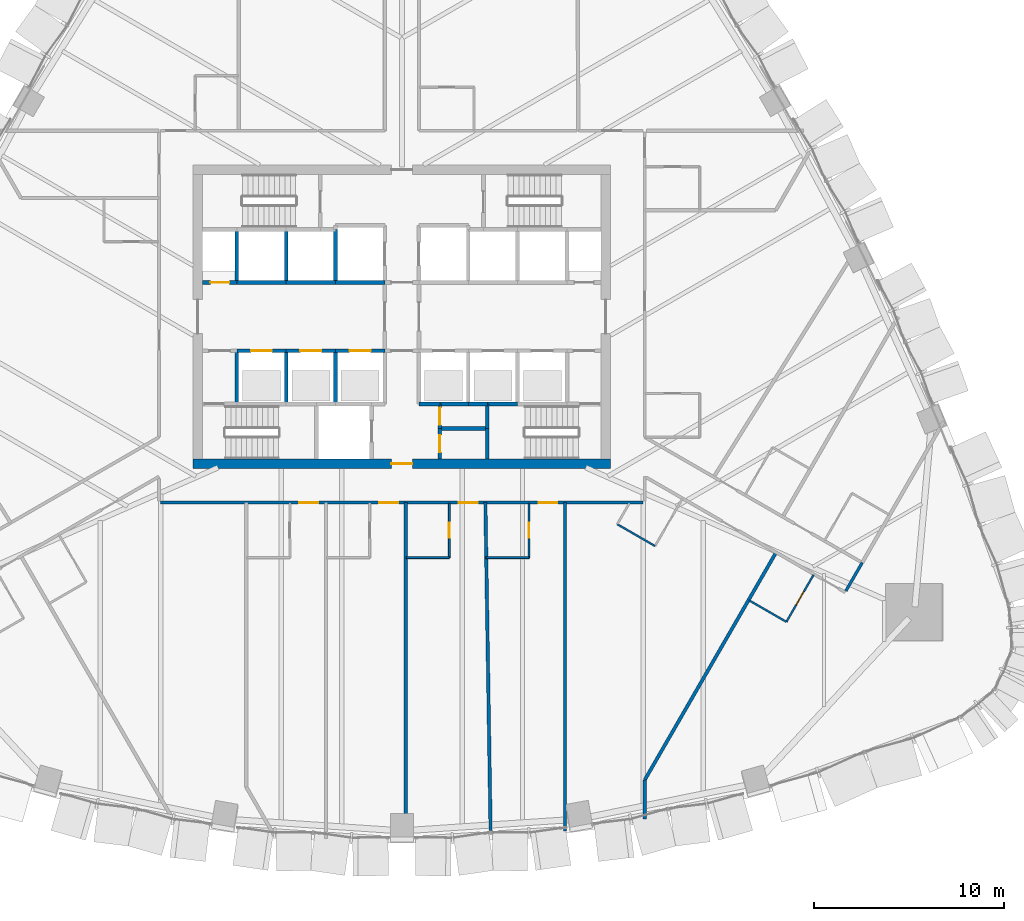
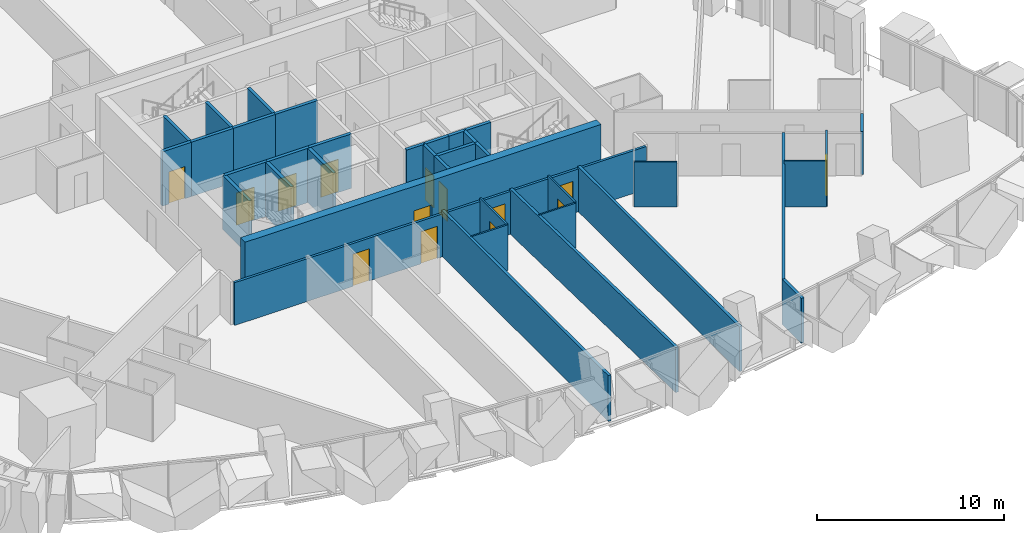
# One storey, part 16 of 24: 37 walls, 14 doors, 14 openings.
"""IFC4 building model written with IfcOpenShell, lengths in metres."""

import ifcopenshell
import ifcopenshell.guid

model = None  # the IFC model being written
_history = None  # IfcOwnerHistory: only IFC2X3 demands one
_inside = {}  # id of a spatial element -> (the spatial element, [elements in it])
_under = {}  # id of a project, library or spatial element -> (it, [spatial elements below it])
_declared = {}  # id of a project -> (the project, [libraries it declares])
_typed = {}  # id of a type object -> (the type object, [elements of that type])
_made_of = {}  # id of a material, layer set ... -> (it, [elements and type objects made of it])


def new_model(schema):
    """Start an empty IFC model of exactly this schema.

    Asked for "IFC4X3", IfcOpenShell would pick the latest addendum, in which some entities
    have other attributes; the version numbers below select the first issue.
    IFC2X3 requires an IfcOwnerHistory on every rooted entity: one is made here for all.
    """
    global model, _history
    if schema == "IFC4X3":
        model = ifcopenshell.file(schema_version=(4, 3, 0, 0))
    else:
        model = ifcopenshell.file(schema=schema)
    _inside.clear()
    _under.clear()
    _declared.clear()
    _typed.clear()
    _made_of.clear()
    _history = None
    if model.schema == "IFC2X3":
        org = make("IfcOrganization", Name="unknown")
        user = make(
            "IfcPersonAndOrganization",
            ThePerson=make("IfcPerson", FamilyName="unknown"),
            TheOrganization=org,
        )
        app = make(
            "IfcApplication",
            ApplicationDeveloper=org,
            Version="unknown",
            ApplicationFullName="unknown",
            ApplicationIdentifier="unknown",
        )
        _history = make(
            "IfcOwnerHistory",
            OwningUser=user,
            OwningApplication=app,
            ChangeAction="ADDED",
            CreationDate=0,
        )
    return model


def make(cls, **values):
    """One entity of the class cls with the attributes given. An attribute that is None is left unset."""
    return model.create_entity(
        cls, **{name: value for name, value in values.items() if value is not None}
    )


def rooted(cls, **values):
    """An entity with a GlobalId (a new one), such as an element, a storey or a relation."""
    return make(cls, GlobalId=ifcopenshell.guid.new(), OwnerHistory=_history, **values)


def si_unit(unit_type, name, prefix=None):
    """IfcSIUnit, for example si_unit("LENGTHUNIT", "METRE", prefix="MILLI")."""
    return make("IfcSIUnit", UnitType=unit_type, Prefix=prefix, Name=name)


def assignment(units):
    """IfcUnitAssignment: the units of a project."""
    return None if units is None else make("IfcUnitAssignment", Units=units)


def point(xyz):
    """IfcCartesianPoint."""
    return None if xyz is None else make("IfcCartesianPoint", Coordinates=xyz)


def direction(xyz):
    """IfcDirection."""
    return None if xyz is None else make("IfcDirection", DirectionRatios=xyz)


def frame(location, z_axis=None, x_axis=None):
    """IfcAxis2Placement3D, a coordinate frame: its origin and axes. An axis left out is left unset."""
    return make(
        "IfcAxis2Placement3D",
        Location=point(location),
        Axis=direction(z_axis),
        RefDirection=direction(x_axis),
    )


def frame_2d(location, x_axis=None):
    """IfcAxis2Placement2D, a coordinate frame in the plane: its origin and x axis."""
    return make(
        "IfcAxis2Placement2D", Location=point(location), RefDirection=direction(x_axis)
    )


def origin():
    """The frame at (0, 0, 0) with its axes left unset."""
    return frame((0.0, 0.0, 0.0))


def place(relative_to, where):
    """IfcLocalPlacement: puts the frame where relative to a parent placement (None: the world)."""
    return make(
        "IfcLocalPlacement", PlacementRelTo=relative_to, RelativePlacement=where
    )


def context(
    kind, dimensions, precision=None, world=None, true_north=None, identifier=None
):
    """IfcGeometricRepresentationContext, for example the 3D "Model" context."""
    return make(
        "IfcGeometricRepresentationContext",
        ContextIdentifier=identifier,
        ContextType=kind,
        CoordinateSpaceDimension=dimensions,
        Precision=precision,
        WorldCoordinateSystem=world,
        TrueNorth=true_north,
    )


def subcontext(parent, identifier, kind, view, scale=None):
    """IfcGeometricRepresentationSubContext, for example "Body" below "Model"."""
    return make(
        "IfcGeometricRepresentationSubContext",
        ContextIdentifier=identifier,
        ContextType=kind,
        ParentContext=parent,
        TargetScale=scale,
        TargetView=view,
    )


def project(units=None, contexts=None):
    """IfcProject with its units and contexts."""
    return rooted(
        "IfcProject",
        Name="project",
        RepresentationContexts=contexts,
        UnitsInContext=assignment(units),
    )


def spatial(cls, under=None, at=None, **own):
    """A site, building, storey or space (cls), placed at a placement, below another one or the project."""
    s = rooted(cls, ObjectPlacement=at, **own)
    if under is not None:
        _under.setdefault(under.id(), (under, []))[1].append(s)
    return s


def profile(cls, at=None, kind="AREA", **sizes):
    """A parametric profile (cls). Its sizes go by their IFC names, for example OverallWidth=200.0."""
    return make(cls, ProfileType=kind, Position=at, **sizes)


def rectangle(**sizes):
    """IfcRectangleProfileDef."""
    return profile("IfcRectangleProfileDef", **sizes)


def extrude(swept, where, along, depth):
    """IfcExtrudedAreaSolid: the profile swept, set in the frame where, extruded along a direction by depth."""
    return make(
        "IfcExtrudedAreaSolid",
        SweptArea=swept,
        Position=where,
        ExtrudedDirection=direction(along),
        Depth=depth,
    )


def shape(context_of_items, identifier, shape_type, items):
    """IfcShapeRepresentation: the items that make up one representation, for example the "Body"."""
    return make(
        "IfcShapeRepresentation",
        ContextOfItems=context_of_items,
        RepresentationIdentifier=identifier,
        RepresentationType=shape_type,
        Items=items,
    )


def material(Name=None, Category=None):
    """IfcMaterial."""
    return make("IfcMaterial", Name=Name, Category=Category)


def layer(
    of_material, thickness, ventilated=None, Name=None, Category=None, Priority=None
):
    """IfcMaterialLayer: one layer of a wall or slab, of a material (None: an air gap)."""
    return make(
        "IfcMaterialLayer",
        Material=of_material,
        LayerThickness=thickness,
        IsVentilated=ventilated,
        Name=Name,
        Category=Category,
        Priority=Priority,
    )


def layer_set(layers, Name=None):
    """IfcMaterialLayerSet."""
    return make("IfcMaterialLayerSet", MaterialLayers=layers, LayerSetName=Name)


def made_of(thing, what):
    """Note that an element or type object is made of a material, layer set ...; save() writes the relation."""
    if what is not None:
        _made_of.setdefault(what.id(), (what, []))[1].append(thing)
    return thing


def type_object(cls, material=None, **own):
    """A type object (cls), such as IfcWallType, which elements share."""
    return made_of(rooted(cls, **own), material)


def element(
    cls,
    number,
    at=None,
    inside=None,
    cuts=None,
    type_object=None,
    material=None,
    context=None,
    identifier="Body",
    shape_type=None,
    held_by="IfcProductDefinitionShape",
    body=None,
    shapes=None,
    **own,
):
    """One element of the class cls, such as IfcWall. Its Tag is "e" and its number.

    at: its placement. inside: the storey or other place that contains it. cuts: it is an
    opening in that element (IfcRelVoidsElement). A single representation is given by context,
    identifier, shape_type and body (its items); several are given by shapes. held_by: the class
    of the entity that holds the representations. save() writes the other relations.
    """
    e = rooted(cls, Tag="e%d" % number, ObjectPlacement=at, **own)
    if body is not None:
        shapes = [shape(context, identifier, shape_type, body)]
    if shapes is not None:
        e.Representation = make(held_by, Representations=shapes)
    if inside is not None:
        _inside.setdefault(inside.id(), (inside, []))[1].append(e)
    if cuts is not None:
        rooted(
            "IfcRelVoidsElement", RelatingBuildingElement=cuts, RelatedOpeningElement=e
        )
    if type_object is not None:
        _typed.setdefault(type_object.id(), (type_object, []))[1].append(e)
    return made_of(e, material)


def fill(opening, filler):
    """IfcRelFillsElement: the door or window that sits in an opening."""
    return rooted(
        "IfcRelFillsElement",
        RelatingOpeningElement=opening,
        RelatedBuildingElement=filler,
    )


def aggregate(whole, parts):
    """IfcRelAggregates: a whole, such as a stair, and the parts it consists of."""
    return rooted("IfcRelAggregates", RelatingObject=whole, RelatedObjects=parts)


def save(model, path):
    """Write the relations noted so far, then the file.

    IfcRelAggregates (storeys below a building ...), IfcRelContainedInSpatialStructure (elements
    in a storey), IfcRelDefinesByType, IfcRelAssociatesMaterial and IfcRelDeclares: one each for
    every whole, place, type object, material and project.
    """
    for whole, parts in _under.values():
        aggregate(whole, parts)
    for where, things in _inside.values():
        rooted(
            "IfcRelContainedInSpatialStructure",
            RelatedElements=things,
            RelatingStructure=where,
        )
    for kind, things in _typed.values():
        rooted("IfcRelDefinesByType", RelatedObjects=things, RelatingType=kind)
    for what, things in _made_of.values():
        rooted("IfcRelAssociatesMaterial", RelatedObjects=things, RelatingMaterial=what)
    for by, libraries in _declared.values():
        rooted("IfcRelDeclares", RelatingContext=by, RelatedDefinitions=libraries)
    model.write(path)


model = new_model("IFC4")

# Units and contexts
model_context = context("Model", 3, precision=1e-05, world=origin(), true_north=direction((0.0, 1.0)))
body_context = subcontext(model_context, "Body", "Model", "MODEL_VIEW")
ifc_project = project(units=[si_unit("LENGTHUNIT", "METRE"), si_unit("AREAUNIT", "SQUARE_METRE"), si_unit("VOLUMEUNIT", "CUBIC_METRE"), si_unit("PLANEANGLEUNIT", "RADIAN"), si_unit("MASSUNIT", "GRAM", prefix="KILO")], contexts=[model_context])

# Site, building, storey
site_placement = place(None, origin())
site = spatial("IfcSite", under=ifc_project, at=site_placement, CompositionType="ELEMENT")
building_placement = place(site_placement, origin())
building = spatial("IfcBuilding", under=site, at=building_placement, Name="Sierra Prisma Convention Tower", CompositionType="ELEMENT")
storey_placement = place(building_placement, frame((0.0, 0.0, 55.39990234375)))
storey = spatial("IfcBuildingStorey", under=building, at=storey_placement, Name="L09", CompositionType="ELEMENT", Elevation=55.39990234375)

# Wall, opening, door
ifc_material_1 = material(Name="Gypsum board partition", Category="gypsum")
ifc_layer_1 = layer(ifc_material_1, 0.10009765625)
ifc_layer_set_1 = layer_set([ifc_layer_1], Name="Bathroom partition 100")
wall_type_1 = type_object("IfcWallType", Name="Bathroom partition 100", PredefinedType="PARTITIONING", material=ifc_layer_set_1)
wall_1_placement = place(storey_placement, frame((2.5, -9.830078125, 0.0), z_axis=(0.0, 0.0, 1.0), x_axis=(0.0, -1.0, 0.0)))
wall_1 = element("IfcWall", 1, at=wall_1_placement, inside=storey, type_object=wall_type_1, Name="Partition L09 bath 19", PredefinedType="PARTITIONING", context=body_context, shape_type="SweptSolid", body=[
    extrude(rectangle(XDim=2.869873046875, YDim=0.10009765625, at=frame_2d((1.43505859375, 0.0))), origin(), (0.0, 0.0, 1.0), 3.0),
])
opening_1_placement = place(wall_1_placement, frame((1.034912109375, 0.0, 0.0)))
opening_1 = element("IfcOpeningElement", 2, at=opening_1_placement, cuts=wall_1, Name="Opening L09-D012", PredefinedType="OPENING", context=body_context, shape_type="SweptSolid", body=[
    extrude(rectangle(XDim=0.800048828125, YDim=2.10009765625, at=frame_2d((0.39990234375, 1.050048828125))), frame((0.0, 0.050048828125, 0.0), z_axis=(0.0, -1.0, 0.0), x_axis=(1.0, 0.0, 0.0)), (0.0, 0.0, 1.0), 0.10009765625),
])
ifc_material_2 = material(Name="Solid core timber door leaf", Category="wood")
door_type_1 = type_object("IfcDoorType", Name="Door 800x2100 plain", OperationType="SINGLE_SWING_LEFT", PredefinedType="DOOR", material=ifc_material_2)
door_1_placement = place(opening_1_placement, origin())
door_1 = element("IfcDoor", 3, at=door_1_placement, inside=storey, type_object=door_type_1, Name="Door L09 27", OperationType="SINGLE_SWING_LEFT", OverallHeight=2.10009765625, OverallWidth=0.800048828125, PredefinedType="DOOR", context=body_context, shape_type="SweptSolid", body=[
    extrude(rectangle(XDim=0.800048828125, YDim=2.10009765625, at=frame_2d((0.39990234375, 1.050048828125))), frame((0.0, 0.02490234375, 0.0), z_axis=(0.0, -1.0, 0.0), x_axis=(1.0, 0.0, 0.0)), (0.0, 0.0, 1.0), 0.050048828125),
])
fill(opening_1, door_1)

# Wall
wall_2_placement = place(storey_placement, frame((2.5, -12.699951171875, 0.0), z_axis=(0.0, 0.0, 1.0), x_axis=(-1.0, 0.0, 0.0)))
element("IfcWall", 4, at=wall_2_placement, inside=storey, type_object=wall_type_1, Name="Partition L09 bath 20", PredefinedType="PARTITIONING", context=body_context, shape_type="SweptSolid", body=[
    extrude(rectangle(XDim=2.27001953125, YDim=0.10009765625, at=frame_2d((1.135009765625, 0.0))), origin(), (0.0, 0.0, 1.0), 3.0),
])

# Wall, opening, door
wall_3_placement = place(storey_placement, frame((6.699951171875, -9.830078125, 0.0), z_axis=(0.0, 0.0, 1.0), x_axis=(0.0, -1.0, 0.0)))
wall_3 = element("IfcWall", 5, at=wall_3_placement, inside=storey, type_object=wall_type_1, Name="Partition L09 bath 23", PredefinedType="PARTITIONING", context=body_context, shape_type="SweptSolid", body=[
    extrude(rectangle(XDim=2.869873046875, YDim=0.10009765625, at=frame_2d((1.43505859375, 0.0))), origin(), (0.0, 0.0, 1.0), 3.0),
])
opening_2_placement = place(wall_3_placement, frame((1.034912109375, 0.0, 0.0)))
opening_2 = element("IfcOpeningElement", 6, at=opening_2_placement, cuts=wall_3, Name="Opening L09-D013", PredefinedType="OPENING", context=body_context, shape_type="SweptSolid", body=[
    extrude(rectangle(XDim=0.800048828125, YDim=2.10009765625, at=frame_2d((0.39990234375, 1.050048828125))), frame((0.0, 0.050048828125, 0.0), z_axis=(0.0, -1.0, 0.0), x_axis=(1.0, 0.0, 0.0)), (0.0, 0.0, 1.0), 0.10009765625),
])
door_2_placement = place(opening_2_placement, origin())
door_2 = element("IfcDoor", 7, at=door_2_placement, inside=storey, type_object=door_type_1, Name="Door L09 29", OperationType="SINGLE_SWING_RIGHT", OverallHeight=2.10009765625, OverallWidth=0.800048828125, PredefinedType="DOOR", context=body_context, shape_type="SweptSolid", body=[
    extrude(rectangle(XDim=0.800048828125, YDim=2.10009765625, at=frame_2d((0.39990234375, 1.050048828125))), frame((0.0, 0.02490234375, 0.0), z_axis=(0.0, -1.0, 0.0), x_axis=(1.0, 0.0, 0.0)), (0.0, 0.0, 1.0), 0.050048828125),
])
fill(opening_2, door_2)

# Walls
wall_4_placement = place(storey_placement, frame((6.699951171875, -12.699951171875, 0.0), z_axis=(0.0, 0.0, 1.0), x_axis=(-1.0, 0.0, 0.0)))
element("IfcWall", 8, at=wall_4_placement, inside=storey, type_object=wall_type_1, Name="Partition L09 bath 24", PredefinedType="PARTITIONING", context=body_context, shape_type="SweptSolid", body=[
    extrude(rectangle(XDim=2.27001953125, YDim=0.10009765625, at=frame_2d((1.135009765625, 0.0))), origin(), (0.0, 0.0, 1.0), 2.947021484375),
])
wall_5_placement = place(storey_placement, frame((13.341796875, -12.0908203125, 0.0), z_axis=(0.0, 0.0, 1.0), x_axis=(-0.86602648383, 0.499998129301, 0.0)))
element("IfcWall", 9, at=wall_5_placement, inside=storey, type_object=wall_type_1, Name="Partition L09 bath 26", PredefinedType="PARTITIONING", context=body_context, shape_type="SweptSolid", body=[
    extrude(rectangle(XDim=2.2998046875, YDim=0.10009765625, at=frame_2d((1.14990234375, 0.0))), origin(), (0.0, 0.0, 1.0), 2.947021484375),
])

# Wall, opening, door
wall_6_placement = place(storey_placement, frame((21.70068359375, -13.602783203125, 0.0), z_axis=(0.0, 0.0, 1.0), x_axis=(-0.500036638401, -0.866004249561, 0.0)))
wall_6 = element("IfcWall", 10, at=wall_6_placement, inside=storey, type_object=wall_type_1, Name="Partition L09 bath 35", PredefinedType="PARTITIONING", context=body_context, shape_type="SweptSolid", body=[
    extrude(rectangle(XDim=2.869873046875, YDim=0.10009765625, at=frame_2d((1.43505859375, 0.0))), origin(), (0.0, 0.0, 1.0), 3.0),
])
opening_3_placement = place(wall_6_placement, frame((1.034912109375, 0.0, 0.0)))
opening_3 = element("IfcOpeningElement", 11, at=opening_3_placement, cuts=wall_6, Name="Opening L09-D015", PredefinedType="OPENING", context=body_context, shape_type="SweptSolid", body=[
    extrude(rectangle(XDim=0.800048828125, YDim=2.10009765625, at=frame_2d((0.39990234375, 1.050048828125))), frame((0.0, 0.050048828125, 0.0), z_axis=(0.0, -1.0, 0.0), x_axis=(1.0, 0.0, 0.0)), (0.0, 0.0, 1.0), 0.10009765625),
])
door_3_placement = place(opening_3_placement, origin())
door_3 = element("IfcDoor", 12, at=door_3_placement, inside=storey, type_object=door_type_1, Name="Door L09 33", OperationType="SINGLE_SWING_LEFT", OverallHeight=2.10009765625, OverallWidth=0.800048828125, PredefinedType="DOOR", context=body_context, shape_type="SweptSolid", body=[
    extrude(rectangle(XDim=0.800048828125, YDim=2.10009765625, at=frame_2d((0.39990234375, 1.050048828125))), frame((0.0, 0.02490234375, 0.0), z_axis=(0.0, -1.0, 0.0), x_axis=(1.0, 0.0, 0.0)), (0.0, 0.0, 1.0), 0.050048828125),
])
fill(opening_3, door_3)

# Wall
wall_7_placement = place(storey_placement, frame((20.265625, -16.088134765625, 0.0), z_axis=(0.0, 0.0, 1.0), x_axis=(-0.866017224141, 0.500014167291, 0.0)))
element("IfcWall", 13, at=wall_7_placement, inside=storey, type_object=wall_type_1, Name="Partition L09 bath 36", PredefinedType="PARTITIONING", context=body_context, shape_type="SweptSolid", body=[
    extrude(rectangle(XDim=2.27001953125, YDim=0.10009765625, at=frame_2d((1.135009765625, 0.0))), origin(), (0.0, 0.0, 1.0), 3.0),
])

# Wall, opening, door
ifc_material_3 = material(Name="Concrete C30/37", Category="concrete")
ifc_layer_2 = layer(ifc_material_3, 0.199951171875)
ifc_layer_set_2 = layer_set([ifc_layer_2], Name="Core wall RC 200 C30/37")
wall_type_2 = type_object("IfcWallType", Name="Core wall RC 200 C30/37", PredefinedType="SOLIDWALL", material=ifc_layer_set_2)
wall_8_placement = place(storey_placement, frame((-8.699951171875, 1.800048828125, 0.0), z_axis=(0.0, 0.0, 1.0), x_axis=(-1.0, 0.0, 0.0)))
wall_8 = element("IfcWall", 14, at=wall_8_placement, inside=storey, type_object=wall_type_2, Name="Core wall L09 3", PredefinedType="SOLIDWALL", context=body_context, shape_type="SweptSolid", body=[
    extrude(rectangle(XDim=1.800048828125, YDim=0.199951171875, at=frame_2d((0.89990234375, 0.0))), origin(), (0.0, 0.0, 1.0), 3.550048828125),
])
opening_4_placement = place(wall_8_placement, frame((0.39990234375, 0.0, 0.0)))
opening_4 = element("IfcOpeningElement", 15, at=opening_4_placement, cuts=wall_8, Name="Opening L09-D033", PredefinedType="OPENING", context=body_context, shape_type="SweptSolid", body=[
    extrude(rectangle(XDim=1.0, YDim=2.10009765625, at=frame_2d((0.5, 1.050048828125))), frame((0.0, 0.10009765625, 0.0), z_axis=(0.0, -1.0, 0.0), x_axis=(1.0, 0.0, 0.0)), (0.0, 0.0, 1.0), 0.199951171875),
])
ifc_material_4 = material(Name="Steel fire door leaf", Category="steel")
door_type_2 = type_object("IfcDoorType", Name="Door 1000x2100 FD60S", OperationType="SINGLE_SWING_LEFT", PredefinedType="DOOR", material=ifc_material_4)
door_4_placement = place(opening_4_placement, origin())
door_4 = element("IfcDoor", 16, at=door_4_placement, inside=storey, type_object=door_type_2, Name="Door L09 53", OperationType="SINGLE_SWING_LEFT", OverallHeight=2.10009765625, OverallWidth=1.0, PredefinedType="DOOR", context=body_context, shape_type="SweptSolid", body=[
    extrude(rectangle(XDim=1.0, YDim=2.10009765625, at=frame_2d((0.5, 1.050048828125))), frame((0.0, 0.02490234375, 0.0), z_axis=(0.0, -1.0, 0.0), x_axis=(1.0, 0.0, 0.0)), (0.0, 0.0, 1.0), 0.050048828125),
])
fill(opening_4, door_4)

# Wall
wall_9_placement = place(storey_placement, frame((-8.699951171875, -4.60009765625, 0.0), z_axis=(0.0, 0.0, 1.0), x_axis=(0.0, 1.0, 0.0)))
element("IfcWall", 17, at=wall_9_placement, inside=storey, type_object=wall_type_2, Name="Core wall L09 6", PredefinedType="SOLIDWALL", context=body_context, shape_type="SweptSolid", body=[
    extrude(rectangle(XDim=2.800048828125, YDim=0.199951171875, at=frame_2d((1.39990234375, 0.0))), origin(), (0.0, 0.0, 1.0), 3.550048828125),
])

# Wall, opening, door
wall_10_placement = place(storey_placement, frame((-8.699951171875, -1.800048828125, 0.0), z_axis=(0.0, 0.0, 1.0), x_axis=(1.0, 0.0, 0.0)))
wall_10 = element("IfcWall", 18, at=wall_10_placement, inside=storey, type_object=wall_type_2, Name="Core wall L09 7", PredefinedType="SOLIDWALL", context=body_context, shape_type="SweptSolid", body=[
    extrude(rectangle(XDim=2.599853515625, YDim=0.199951171875, at=frame_2d((1.2998046875, 0.0))), origin(), (0.0, 0.0, 1.0), 3.550048828125),
])
opening_5_placement = place(wall_10_placement, frame((0.75, 0.0, 0.0)))
opening_5 = element("IfcOpeningElement", 19, at=opening_5_placement, cuts=wall_10, Name="Opening L09-D018", PredefinedType="OPENING", context=body_context, shape_type="SweptSolid", body=[
    extrude(rectangle(XDim=1.10009765625, YDim=2.10009765625, at=frame_2d((0.550048828125, 1.050048828125))), frame((0.0, 0.10009765625, 0.0), z_axis=(0.0, -1.0, 0.0), x_axis=(1.0, 0.0, 0.0)), (0.0, 0.0, 1.0), 0.199951171875),
])
ifc_material_5 = material(Name="Steel fire door leaf", Category="steel")
door_type_3 = type_object("IfcDoorType", Name="Door 1100x2100 EI 90 sliding lift landing", OperationType="SLIDING_TO_LEFT", PredefinedType="DOOR", material=ifc_material_5)
door_5_placement = place(opening_5_placement, origin())
door_5 = element("IfcDoor", 20, at=door_5_placement, inside=storey, type_object=door_type_3, Name="Door L09 38", OperationType="SLIDING_TO_LEFT", OverallHeight=2.10009765625, OverallWidth=1.10009765625, PredefinedType="DOOR", context=body_context, shape_type="SweptSolid", body=[
    extrude(rectangle(XDim=1.10009765625, YDim=2.10009765625, at=frame_2d((0.550048828125, 1.050048828125))), frame((0.0, 0.02490234375, 0.0), z_axis=(0.0, -1.0, 0.0), x_axis=(1.0, 0.0, 0.0)), (0.0, 0.0, 1.0), 0.050048828125),
])
fill(opening_5, door_5)

# Walls
wall_11_placement = place(storey_placement, frame((-6.10009765625, 1.800048828125, 0.0), z_axis=(0.0, 0.0, 1.0), x_axis=(-1.0, 0.0, 0.0)))
element("IfcWall", 21, at=wall_11_placement, inside=storey, type_object=wall_type_2, Name="Core wall L09 8", PredefinedType="SOLIDWALL", context=body_context, shape_type="SweptSolid", body=[
    extrude(rectangle(XDim=2.599853515625, YDim=0.199951171875, at=frame_2d((1.2998046875, 0.0))), origin(), (0.0, 0.0, 1.0), 3.550048828125),
])
for number, where, z_axis, x_axis, name in (
    (22, (-8.699951171875, 1.800048828125, 0.0), (0.0, 0.0, 1.0), (0.0, 1.0, 0.0), "Core wall L09 9"),
    (23, (-6.10009765625, -4.60009765625, 0.0), (0.0, 0.0, 1.0), (0.0, 1.0, 0.0), "Core wall L09 12"),
):
    element("IfcWall", number, at=place(storey_placement, frame(where, z_axis=z_axis, x_axis=x_axis)), inside=storey, type_object=wall_type_2, Name=name, PredefinedType="SOLIDWALL", context=body_context, shape_type="SweptSolid", body=[
        extrude(rectangle(XDim=2.800048828125, YDim=0.199951171875, at=frame_2d((1.39990234375, 0.0))), origin(), (0.0, 0.0, 1.0), 3.550048828125),
    ])

# Wall, opening, door
wall_12_placement = place(storey_placement, frame((-6.10009765625, -1.800048828125, 0.0), z_axis=(0.0, 0.0, 1.0), x_axis=(1.0, 0.0, 0.0)))
wall_12 = element("IfcWall", 24, at=wall_12_placement, inside=storey, type_object=wall_type_2, Name="Core wall L09 13", PredefinedType="SOLIDWALL", context=body_context, shape_type="SweptSolid", body=[
    extrude(rectangle(XDim=2.60009765625, YDim=0.199951171875, at=frame_2d((1.300048828125, 0.0))), origin(), (0.0, 0.0, 1.0), 3.550048828125),
])
opening_6_placement = place(wall_12_placement, frame((0.75, 0.0, 0.0)))
opening_6 = element("IfcOpeningElement", 25, at=opening_6_placement, cuts=wall_12, Name="Opening L09-D019", PredefinedType="OPENING", context=body_context, shape_type="SweptSolid", body=[
    extrude(rectangle(XDim=1.10009765625, YDim=2.10009765625, at=frame_2d((0.550048828125, 1.050048828125))), frame((0.0, 0.10009765625, 0.0), z_axis=(0.0, -1.0, 0.0), x_axis=(1.0, 0.0, 0.0)), (0.0, 0.0, 1.0), 0.199951171875),
])
door_6_placement = place(opening_6_placement, origin())
door_6 = element("IfcDoor", 26, at=door_6_placement, inside=storey, type_object=door_type_3, Name="Door L09 39", OperationType="SLIDING_TO_RIGHT", OverallHeight=2.10009765625, OverallWidth=1.10009765625, PredefinedType="DOOR", context=body_context, shape_type="SweptSolid", body=[
    extrude(rectangle(XDim=1.10009765625, YDim=2.10009765625, at=frame_2d((0.550048828125, 1.050048828125))), frame((0.0, 0.02490234375, 0.0), z_axis=(0.0, -1.0, 0.0), x_axis=(1.0, 0.0, 0.0)), (0.0, 0.0, 1.0), 0.050048828125),
])
fill(opening_6, door_6)

# Walls
wall_13_placement = place(storey_placement, frame((-3.5, 1.800048828125, 0.0), z_axis=(0.0, 0.0, 1.0), x_axis=(-1.0, 0.0, 0.0)))
element("IfcWall", 27, at=wall_13_placement, inside=storey, type_object=wall_type_2, Name="Core wall L09 14", PredefinedType="SOLIDWALL", context=body_context, shape_type="SweptSolid", body=[
    extrude(rectangle(XDim=2.60009765625, YDim=0.199951171875, at=frame_2d((1.300048828125, 0.0))), origin(), (0.0, 0.0, 1.0), 3.550048828125),
])
for number, where, z_axis, x_axis, name in (
    (28, (-6.10009765625, 1.800048828125, 0.0), (0.0, 0.0, 1.0), (0.0, 1.0, 0.0), "Core wall L09 15"),
    (29, (-3.5, -4.60009765625, 0.0), (0.0, 0.0, 1.0), (0.0, 1.0, 0.0), "Core wall L09 22"),
):
    element("IfcWall", number, at=place(storey_placement, frame(where, z_axis=z_axis, x_axis=x_axis)), inside=storey, type_object=wall_type_2, Name=name, PredefinedType="SOLIDWALL", context=body_context, shape_type="SweptSolid", body=[
        extrude(rectangle(XDim=2.800048828125, YDim=0.199951171875, at=frame_2d((1.39990234375, 0.0))), origin(), (0.0, 0.0, 1.0), 3.550048828125),
    ])

# Wall, opening, door
wall_14_placement = place(storey_placement, frame((-3.5, -1.800048828125, 0.0), z_axis=(0.0, 0.0, 1.0), x_axis=(1.0, 0.0, 0.0)))
wall_14 = element("IfcWall", 30, at=wall_14_placement, inside=storey, type_object=wall_type_2, Name="Core wall L09 23", PredefinedType="SOLIDWALL", context=body_context, shape_type="SweptSolid", body=[
    extrude(rectangle(XDim=2.60009765625, YDim=0.199951171875, at=frame_2d((1.300048828125, 0.0))), origin(), (0.0, 0.0, 1.0), 3.550048828125),
])
opening_7_placement = place(wall_14_placement, frame((0.75, 0.0, 0.0)))
opening_7 = element("IfcOpeningElement", 31, at=opening_7_placement, cuts=wall_14, Name="Opening L09-D020", PredefinedType="OPENING", context=body_context, shape_type="SweptSolid", body=[
    extrude(rectangle(XDim=1.10009765625, YDim=2.10009765625, at=frame_2d((0.550048828125, 1.050048828125))), frame((0.0, 0.10009765625, 0.0), z_axis=(0.0, -1.0, 0.0), x_axis=(1.0, 0.0, 0.0)), (0.0, 0.0, 1.0), 0.199951171875),
])
door_7_placement = place(opening_7_placement, origin())
door_7 = element("IfcDoor", 32, at=door_7_placement, inside=storey, type_object=door_type_3, Name="Door L09 40", OperationType="SLIDING_TO_RIGHT", OverallHeight=2.10009765625, OverallWidth=1.10009765625, PredefinedType="DOOR", context=body_context, shape_type="SweptSolid", body=[
    extrude(rectangle(XDim=1.10009765625, YDim=2.10009765625, at=frame_2d((0.550048828125, 1.050048828125))), frame((0.0, 0.02490234375, 0.0), z_axis=(0.0, -1.0, 0.0), x_axis=(1.0, 0.0, 0.0)), (0.0, 0.0, 1.0), 0.050048828125),
])
fill(opening_7, door_7)

# Walls
wall_15_placement = place(storey_placement, frame((-0.89990234375, 1.800048828125, 0.0), z_axis=(0.0, 0.0, 1.0), x_axis=(-1.0, 0.0, 0.0)))
element("IfcWall", 33, at=wall_15_placement, inside=storey, type_object=wall_type_2, Name="Core wall L09 24", PredefinedType="SOLIDWALL", context=body_context, shape_type="SweptSolid", body=[
    extrude(rectangle(XDim=2.60009765625, YDim=0.199951171875, at=frame_2d((1.300048828125, 0.0))), origin(), (0.0, 0.0, 1.0), 3.550048828125),
])
wall_16_placement = place(storey_placement, frame((-3.5, 4.60009765625, 0.0), z_axis=(0.0, 0.0, 1.0), x_axis=(0.0, -1.0, 0.0)))
element("IfcWall", 34, at=wall_16_placement, inside=storey, type_object=wall_type_2, Name="Core wall L09 25", PredefinedType="SOLIDWALL", context=body_context, shape_type="SweptSolid", body=[
    extrude(rectangle(XDim=2.800048828125, YDim=0.199951171875, at=frame_2d((1.39990234375, 0.0))), origin(), (0.0, 0.0, 1.0), 3.550048828125),
])
wall_17_placement = place(storey_placement, frame((0.89990234375, -4.60009765625, 0.0), z_axis=(0.0, 0.0, 1.0), x_axis=(1.0, 0.0, 0.0)))
element("IfcWall", 35, at=wall_17_placement, inside=storey, type_object=wall_type_2, Name="Core wall L09 38", PredefinedType="SOLIDWALL", context=body_context, shape_type="SweptSolid", body=[
    extrude(rectangle(XDim=1.10009765625, YDim=0.199951171875, at=frame_2d((0.550048828125, 0.0))), origin(), (0.0, 0.0, 1.0), 3.550048828125),
])

# Wall, opening, door
wall_18_placement = place(storey_placement, frame((2.0, -5.89990234375, 0.0), z_axis=(0.0, 0.0, 1.0), x_axis=(0.0, -1.0, 0.0)))
wall_18 = element("IfcWall", 36, at=wall_18_placement, inside=storey, type_object=wall_type_2, Name="Core wall L09 43", PredefinedType="SOLIDWALL", context=body_context, shape_type="SweptSolid", body=[
    extrude(rectangle(XDim=1.60009765625, YDim=0.199951171875, at=frame_2d((0.800048828125, 0.0))), origin(), (0.0, 0.0, 1.0), 3.550048828125),
])
opening_8_placement = place(wall_18_placement, frame((0.35009765625, 0.0, 0.0)))
opening_8 = element("IfcOpeningElement", 37, at=opening_8_placement, cuts=wall_18, Name="Opening L09-D039", PredefinedType="OPENING", context=body_context, shape_type="SweptSolid", body=[
    extrude(rectangle(XDim=0.89990234375, YDim=2.10009765625, at=frame_2d((0.449951171875, 1.050048828125))), frame((0.0, 0.10009765625, 0.0), z_axis=(0.0, -1.0, 0.0), x_axis=(1.0, 0.0, 0.0)), (0.0, 0.0, 1.0), 0.199951171875),
])
ifc_material_6 = material(Name="Steel fire door leaf", Category="steel")
door_type_4 = type_object("IfcDoorType", Name="Door 900x2100 FD30S", OperationType="SINGLE_SWING_LEFT", PredefinedType="DOOR", material=ifc_material_6)
door_8_placement = place(opening_8_placement, origin())
door_8 = element("IfcDoor", 38, at=door_8_placement, inside=storey, type_object=door_type_4, Name="Door L09 59", OperationType="SINGLE_SWING_LEFT", OverallHeight=2.10009765625, OverallWidth=0.89990234375, PredefinedType="DOOR", context=body_context, shape_type="SweptSolid", body=[
    extrude(rectangle(XDim=0.89990234375, YDim=2.10009765625, at=frame_2d((0.449951171875, 1.050048828125))), frame((0.0, 0.02490234375, 0.0), z_axis=(0.0, -1.0, 0.0), x_axis=(1.0, 0.0, 0.0)), (0.0, 0.0, 1.0), 0.050048828125),
])
fill(opening_8, door_8)

# Wall
wall_19_placement = place(storey_placement, frame((4.5, -5.89990234375, 0.0), z_axis=(0.0, 0.0, 1.0), x_axis=(-1.0, 0.0, 0.0)))
element("IfcWall", 39, at=wall_19_placement, inside=storey, type_object=wall_type_2, Name="Core wall L09 44", PredefinedType="SOLIDWALL", context=body_context, shape_type="SweptSolid", body=[
    extrude(rectangle(XDim=2.5, YDim=0.199951171875, at=frame_2d((1.25, 0.0))), origin(), (0.0, 0.0, 1.0), 3.550048828125),
])

# Wall, opening, door
wall_20_placement = place(storey_placement, frame((2.0, -4.60009765625, 0.0), z_axis=(0.0, 0.0, 1.0), x_axis=(0.0, -1.0, 0.0)))
wall_20 = element("IfcWall", 40, at=wall_20_placement, inside=storey, type_object=wall_type_2, Name="Core wall L09 45", PredefinedType="SOLIDWALL", context=body_context, shape_type="SweptSolid", body=[
    extrude(rectangle(XDim=1.2998046875, YDim=0.199951171875, at=frame_2d((0.64990234375, 0.0))), origin(), (0.0, 0.0, 1.0), 3.550048828125),
])
opening_9_placement = place(wall_20_placement, frame((0.199951171875, 0.0, 0.0)))
opening_9 = element("IfcOpeningElement", 41, at=opening_9_placement, cuts=wall_20, Name="Opening L09-D040", PredefinedType="OPENING", context=body_context, shape_type="SweptSolid", body=[
    extrude(rectangle(XDim=0.89990234375, YDim=2.10009765625, at=frame_2d((0.449951171875, 1.050048828125))), frame((0.0, 0.10009765625, 0.0), z_axis=(0.0, -1.0, 0.0), x_axis=(1.0, 0.0, 0.0)), (0.0, 0.0, 1.0), 0.199951171875),
])
door_9_placement = place(opening_9_placement, origin())
door_9 = element("IfcDoor", 42, at=door_9_placement, inside=storey, type_object=door_type_4, Name="Door L09 60", OperationType="SINGLE_SWING_RIGHT", OverallHeight=2.10009765625, OverallWidth=0.89990234375, PredefinedType="DOOR", context=body_context, shape_type="SweptSolid", body=[
    extrude(rectangle(XDim=0.89990234375, YDim=2.10009765625, at=frame_2d((0.449951171875, 1.050048828125))), frame((0.0, 0.02490234375, 0.0), z_axis=(0.0, -1.0, 0.0), x_axis=(1.0, 0.0, 0.0)), (0.0, 0.0, 1.0), 0.050048828125),
])
fill(opening_9, door_9)

# Walls
wall_21_placement = place(storey_placement, frame((3.5, -4.60009765625, 0.0), z_axis=(0.0, 0.0, 1.0), x_axis=(-1.0, 0.0, 0.0)))
element("IfcWall", 43, at=wall_21_placement, inside=storey, type_object=wall_type_2, Name="Core wall L09 46", PredefinedType="SOLIDWALL", context=body_context, shape_type="SweptSolid", body=[
    extrude(rectangle(XDim=1.5, YDim=0.199951171875, at=frame_2d((0.75, 0.0))), origin(), (0.0, 0.0, 1.0), 3.550048828125),
])
wall_22_placement = place(storey_placement, frame((4.5, -4.60009765625, 0.0), z_axis=(0.0, 0.0, 1.0), x_axis=(-1.0, 0.0, 0.0)))
element("IfcWall", 44, at=wall_22_placement, inside=storey, type_object=wall_type_2, Name="Core wall L09 47", PredefinedType="SOLIDWALL", context=body_context, shape_type="SweptSolid", body=[
    extrude(rectangle(XDim=1.0, YDim=0.199951171875, at=frame_2d((0.5, 0.0))), origin(), (0.0, 0.0, 1.0), 3.550048828125),
])
wall_23_placement = place(storey_placement, frame((4.5, -7.5, 0.0), z_axis=(0.0, 0.0, 1.0), x_axis=(0.0, 1.0, 0.0)))
element("IfcWall", 45, at=wall_23_placement, inside=storey, type_object=wall_type_2, Name="Core wall L09 55", PredefinedType="SOLIDWALL", context=body_context, shape_type="SweptSolid", body=[
    extrude(rectangle(XDim=1.60009765625, YDim=0.199951171875, at=frame_2d((0.800048828125, 0.0))), origin(), (0.0, 0.0, 1.0), 3.550048828125),
])
wall_24_placement = place(storey_placement, frame((4.5, -5.89990234375, 0.0), z_axis=(0.0, 0.0, 1.0), x_axis=(0.0, 1.0, 0.0)))
element("IfcWall", 46, at=wall_24_placement, inside=storey, type_object=wall_type_2, Name="Core wall L09 56", PredefinedType="SOLIDWALL", context=body_context, shape_type="SweptSolid", body=[
    extrude(rectangle(XDim=1.2998046875, YDim=0.199951171875, at=frame_2d((0.64990234375, 0.0))), origin(), (0.0, 0.0, 1.0), 3.550048828125),
])
wall_25_placement = place(storey_placement, frame((4.5, -4.60009765625, 0.0), z_axis=(0.0, 0.0, 1.0), x_axis=(1.0, 0.0, 0.0)))
element("IfcWall", 47, at=wall_25_placement, inside=storey, type_object=wall_type_2, Name="Core wall L09 57", PredefinedType="SOLIDWALL", context=body_context, shape_type="SweptSolid", body=[
    extrude(rectangle(XDim=1.60009765625, YDim=0.199951171875, at=frame_2d((0.800048828125, 0.0))), origin(), (0.0, 0.0, 1.0), 3.550048828125),
])

# Wall, opening, door
ifc_material_7 = material(Name="Concrete C60/75", Category="concrete")
ifc_layer_3 = layer(ifc_material_7, 0.5)
ifc_layer_set_3 = layer_set([ifc_layer_3], Name="Core wall RC 500 C60/75")
wall_type_3 = type_object("IfcWallType", Name="Core wall RC 500 C60/75", PredefinedType="SHEAR", material=ifc_layer_set_3)
wall_26_placement = place(storey_placement, frame((-11.0, -7.75, 0.0), z_axis=(0.0, 0.0, 1.0), x_axis=(1.0, 0.0, 0.0)))
wall_26 = element("IfcWall", 48, at=wall_26_placement, inside=storey, type_object=wall_type_3, Name="Core wall S L09", PredefinedType="SHEAR", context=body_context, shape_type="SweptSolid", body=[
    extrude(rectangle(XDim=22.0, YDim=0.5, at=frame_2d((11.0, 0.0))), origin(), (0.0, 0.0, 1.0), 3.7001953125),
])
opening_10_placement = place(wall_26_placement, frame((10.449951171875, 0.0, 0.0)))
opening_10 = element("IfcOpeningElement", 49, at=opening_10_placement, cuts=wall_26, Name="Opening L09-D063", PredefinedType="OPENING", context=body_context, shape_type="SweptSolid", body=[
    extrude(rectangle(XDim=1.10009765625, YDim=2.10009765625, at=frame_2d((0.550048828125, 1.050048828125))), frame((0.0, 0.25, 0.0), z_axis=(0.0, -1.0, 0.0), x_axis=(1.0, 0.0, 0.0)), (0.0, 0.0, 1.0), 0.5),
])
ifc_material_8 = material(Name="Steel fire door leaf", Category="steel")
door_type_5 = type_object("IfcDoorType", Name="Door 1100x2100 FD30S", OperationType="SINGLE_SWING_LEFT", PredefinedType="DOOR", material=ifc_material_8)
door_10_placement = place(opening_10_placement, origin())
door_10 = element("IfcDoor", 50, at=door_10_placement, inside=storey, type_object=door_type_5, Name="Door L09 64", OperationType="SINGLE_SWING_LEFT", OverallHeight=2.10009765625, OverallWidth=1.10009765625, PredefinedType="DOOR", context=body_context, shape_type="SweptSolid", body=[
    extrude(rectangle(XDim=1.10009765625, YDim=2.10009765625, at=frame_2d((0.550048828125, 1.050048828125))), frame((0.0, 0.02490234375, 0.0), z_axis=(0.0, -1.0, 0.0), x_axis=(1.0, 0.0, 0.0)), (0.0, 0.0, 1.0), 0.050048828125),
])
fill(opening_10, door_10)

# Wall, openings, doors
ifc_material_9 = material(Name="Gypsum board partition", Category="gypsum")
ifc_layer_4 = layer(ifc_material_9, 0.14990234375)
ifc_layer_set_4 = layer_set([ifc_layer_4], Name="Corridor wall 150 gypsum EI 60")
wall_type_4 = type_object("IfcWallType", Name="Corridor wall 150 gypsum EI 60", PredefinedType="PARTITIONING", material=ifc_layer_set_4)
wall_27_placement = place(storey_placement, frame((-12.719970703125, -9.800048828125, 0.0), z_axis=(0.0, 0.0, 1.0), x_axis=(1.0, 0.0, 0.0)))
wall_27 = element("IfcWall", 51, at=wall_27_placement, inside=storey, type_object=wall_type_4, Name="Partition L09 corr 6", PredefinedType="PARTITIONING", context=body_context, shape_type="SweptSolid", body=[
    extrude(rectangle(XDim=25.43994140625, YDim=0.14990234375, at=frame_2d((12.719970703125, 0.0))), origin(), (0.0, 0.0, 1.0), 2.797119140625),
])
opening_11_placement = place(wall_27_placement, frame((7.320068359375, 0.0, 0.0)))
opening_11 = element("IfcOpeningElement", 52, at=opening_11_placement, cuts=wall_27, Name="Opening L09-D053", PredefinedType="OPENING", context=body_context, shape_type="SweptSolid", body=[
    extrude(rectangle(XDim=1.0, YDim=2.10009765625, at=frame_2d((0.5, 1.050048828125))), frame((0.0, 0.074951171875, 0.0), z_axis=(0.0, -1.0, 0.0), x_axis=(1.0, 0.0, 0.0)), (0.0, 0.0, 1.0), 0.14990234375),
])
opening_12_placement = place(wall_27_placement, frame((11.52001953125, 0.0, 0.0)))
opening_12 = element("IfcOpeningElement", 53, at=opening_12_placement, cuts=wall_27, Name="Opening L09-D054", PredefinedType="OPENING", context=body_context, shape_type="SweptSolid", body=[
    extrude(rectangle(XDim=1.0, YDim=2.10009765625, at=frame_2d((0.5, 1.050048828125))), frame((0.0, 0.074951171875, 0.0), z_axis=(0.0, -1.0, 0.0), x_axis=(1.0, 0.0, 0.0)), (0.0, 0.0, 1.0), 0.14990234375),
])
opening_13_placement = place(wall_27_placement, frame((15.719970703125, 0.0, 0.0)))
opening_13 = element("IfcOpeningElement", 54, at=opening_13_placement, cuts=wall_27, Name="Opening L09-D055", PredefinedType="OPENING", context=body_context, shape_type="SweptSolid", body=[
    extrude(rectangle(XDim=1.0, YDim=2.10009765625, at=frame_2d((0.5, 1.050048828125))), frame((0.0, 0.074951171875, 0.0), z_axis=(0.0, -1.0, 0.0), x_axis=(1.0, 0.0, 0.0)), (0.0, 0.0, 1.0), 0.14990234375),
])
opening_14_placement = place(wall_27_placement, frame((19.919921875, 0.0, 0.0)))
opening_14 = element("IfcOpeningElement", 55, at=opening_14_placement, cuts=wall_27, Name="Opening L09-D056", PredefinedType="OPENING", context=body_context, shape_type="SweptSolid", body=[
    extrude(rectangle(XDim=1.0, YDim=2.10009765625, at=frame_2d((0.5, 1.050048828125))), frame((0.0, 0.074951171875, 0.0), z_axis=(0.0, -1.0, 0.0), x_axis=(1.0, 0.0, 0.0)), (0.0, 0.0, 1.0), 0.14990234375),
])
ifc_material_10 = material(Name="Steel fire door leaf", Category="steel")
door_type_6 = type_object("IfcDoorType", Name="Door 1000x2100 FD30S", OperationType="SINGLE_SWING_LEFT", PredefinedType="DOOR", material=ifc_material_10)
door_11_placement = place(opening_11_placement, origin())
door_11 = element("IfcDoor", 56, at=door_11_placement, inside=storey, type_object=door_type_6, Name="Door L09 22", OperationType="SINGLE_SWING_LEFT", OverallHeight=2.10009765625, OverallWidth=1.0, PredefinedType="DOOR", context=body_context, shape_type="SweptSolid", body=[
    extrude(rectangle(XDim=1.0, YDim=2.10009765625, at=frame_2d((0.5, 1.050048828125))), frame((0.0, 0.02490234375, 0.0), z_axis=(0.0, -1.0, 0.0), x_axis=(1.0, 0.0, 0.0)), (0.0, 0.0, 1.0), 0.050048828125),
])
fill(opening_11, door_11)
door_12_placement = place(opening_12_placement, origin())
door_12 = element("IfcDoor", 57, at=door_12_placement, inside=storey, type_object=door_type_6, Name="Door L09 24", OperationType="SINGLE_SWING_LEFT", OverallHeight=2.10009765625, OverallWidth=1.0, PredefinedType="DOOR", context=body_context, shape_type="SweptSolid", body=[
    extrude(rectangle(XDim=1.0, YDim=2.10009765625, at=frame_2d((0.5, 1.050048828125))), frame((0.0, 0.02490234375, 0.0), z_axis=(0.0, -1.0, 0.0), x_axis=(1.0, 0.0, 0.0)), (0.0, 0.0, 1.0), 0.050048828125),
])
fill(opening_12, door_12)
door_13_placement = place(opening_13_placement, origin())
door_13 = element("IfcDoor", 58, at=door_13_placement, inside=storey, type_object=door_type_6, Name="Door L09 26", OperationType="SINGLE_SWING_LEFT", OverallHeight=2.10009765625, OverallWidth=1.0, PredefinedType="DOOR", context=body_context, shape_type="SweptSolid", body=[
    extrude(rectangle(XDim=1.0, YDim=2.10009765625, at=frame_2d((0.5, 1.050048828125))), frame((0.0, 0.02490234375, 0.0), z_axis=(0.0, -1.0, 0.0), x_axis=(1.0, 0.0, 0.0)), (0.0, 0.0, 1.0), 0.050048828125),
])
fill(opening_13, door_13)
door_14_placement = place(opening_14_placement, origin())
door_14 = element("IfcDoor", 59, at=door_14_placement, inside=storey, type_object=door_type_6, Name="Door L09 28", OperationType="SINGLE_SWING_LEFT", OverallHeight=2.10009765625, OverallWidth=1.0, PredefinedType="DOOR", context=body_context, shape_type="SweptSolid", body=[
    extrude(rectangle(XDim=1.0, YDim=2.10009765625, at=frame_2d((0.5, 1.050048828125))), frame((0.0, 0.02490234375, 0.0), z_axis=(0.0, -1.0, 0.0), x_axis=(1.0, 0.0, 0.0)), (0.0, 0.0, 1.0), 0.050048828125),
])
fill(opening_14, door_14)

# Walls
wall_28_placement = place(storey_placement, frame((23.40087890625, -14.45751953125, 0.0), z_axis=(0.0, 0.0, 1.0), x_axis=(0.500062383118, 0.865989383878, 0.0)))
element("IfcWall", 60, at=wall_28_placement, inside=storey, type_object=wall_type_4, Name="Partition L09 corr 16", PredefinedType="PARTITIONING", context=body_context, shape_type="SweptSolid", body=[
    extrude(rectangle(XDim=1.719970703125, YDim=0.14990234375, at=frame_2d((0.85986328125, 0.0))), origin(), (0.0, 0.0, 1.0), 2.797119140625),
])
ifc_material_11 = material(Name="Acoustic gypsum board partition", Category="gypsum")
ifc_layer_5 = layer(ifc_material_11, 0.175048828125)
ifc_layer_set_5 = layer_set([ifc_layer_5], Name="Guest room party wall 175 acoustic EI 60")
wall_type_5 = type_object("IfcWallType", Name="Guest room party wall 175 acoustic EI 60", PredefinedType="PARTITIONING", material=ifc_layer_set_5)
wall_29_placement = place(storey_placement, frame((0.199951171875, -9.800048828125, 0.0), z_axis=(0.0, 0.0, 1.0), x_axis=(0.0, -1.0, 0.0)))
element("IfcWall", 61, at=wall_29_placement, inside=storey, type_object=wall_type_5, Name="Partition L09 hparty 12", PredefinedType="PARTITIONING", context=body_context, shape_type="SweptSolid", body=[
    extrude(rectangle(XDim=17.82763671875, YDim=0.175048828125, at=frame_2d((8.913818359375, 0.0))), origin(), (0.0, 0.0, 1.0), 3.0),
])
wall_30_placement = place(storey_placement, frame((4.39990234375, -9.800048828125, 0.0), z_axis=(0.0, 0.0, 1.0), x_axis=(0.015892742746, -0.999873702388, 0.0)))
element("IfcWall", 62, at=wall_30_placement, inside=storey, type_object=wall_type_5, Name="Partition L09 hparty 15", PredefinedType="PARTITIONING", context=body_context, shape_type="SweptSolid", body=[
    extrude(rectangle(XDim=17.29736328125, YDim=0.175048828125, at=frame_2d((8.648681640625, 0.0))), origin(), (0.0, 0.0, 1.0), 2.93408203125),
])
wall_31_placement = place(storey_placement, frame((8.60009765625, -9.800048828125, 0.0), z_axis=(0.0, 0.0, 1.0), x_axis=(0.0, -1.0, 0.0)))
element("IfcWall", 63, at=wall_31_placement, inside=storey, type_object=wall_type_5, Name="Partition L09 hparty 16", PredefinedType="PARTITIONING", context=body_context, shape_type="SweptSolid", body=[
    extrude(rectangle(XDim=17.31005859375, YDim=0.175048828125, at=frame_2d((8.655029296875, 0.0))), origin(), (0.0, 0.0, 1.0), 2.93408203125),
])
wall_32_placement = place(storey_placement, frame((19.7236328125, -12.4267578125, 0.0), z_axis=(0.0, 0.0, 1.0), x_axis=(-0.499994112739, -0.866028802769, 0.0)))
element("IfcWall", 64, at=wall_32_placement, inside=storey, type_object=wall_type_5, Name="Partition L09 hparty 18", PredefinedType="PARTITIONING", context=body_context, shape_type="SweptSolid", body=[
    extrude(rectangle(XDim=13.847412109375, YDim=0.175048828125, at=frame_2d((6.923828125, 0.0))), origin(), (0.0, 0.0, 1.0), 2.797119140625),
])
wall_33_placement = place(storey_placement, frame((12.800048828125, -24.4189453125, 0.0), z_axis=(0.0, 0.0, 1.0), x_axis=(0.0, -1.0, 0.0)))
element("IfcWall", 65, at=wall_33_placement, inside=storey, type_object=wall_type_5, Name="Partition L09 hparty 19", PredefinedType="PARTITIONING", context=body_context, shape_type="SweptSolid", body=[
    extrude(rectangle(XDim=2.052001953125, YDim=0.175048828125, at=frame_2d((1.02587890625, 0.0))), origin(), (0.0, 0.0, 1.0), 2.93408203125),
])

save(model, "model.ifc")
